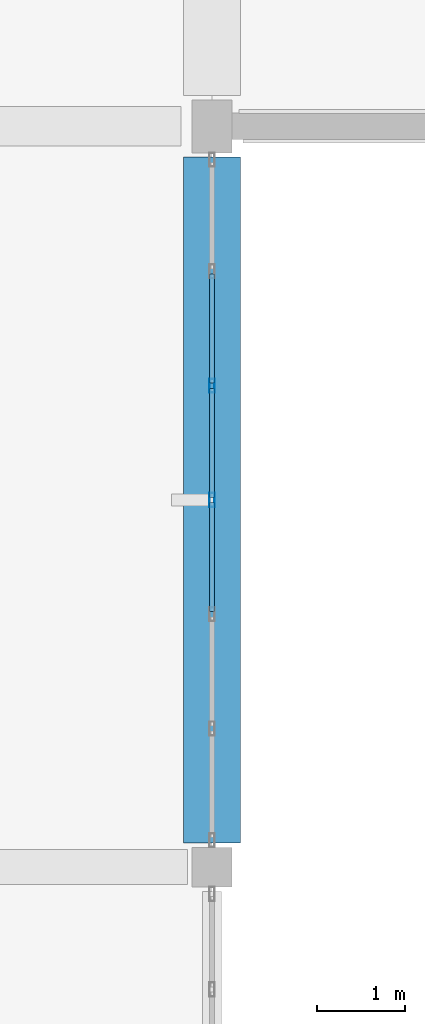
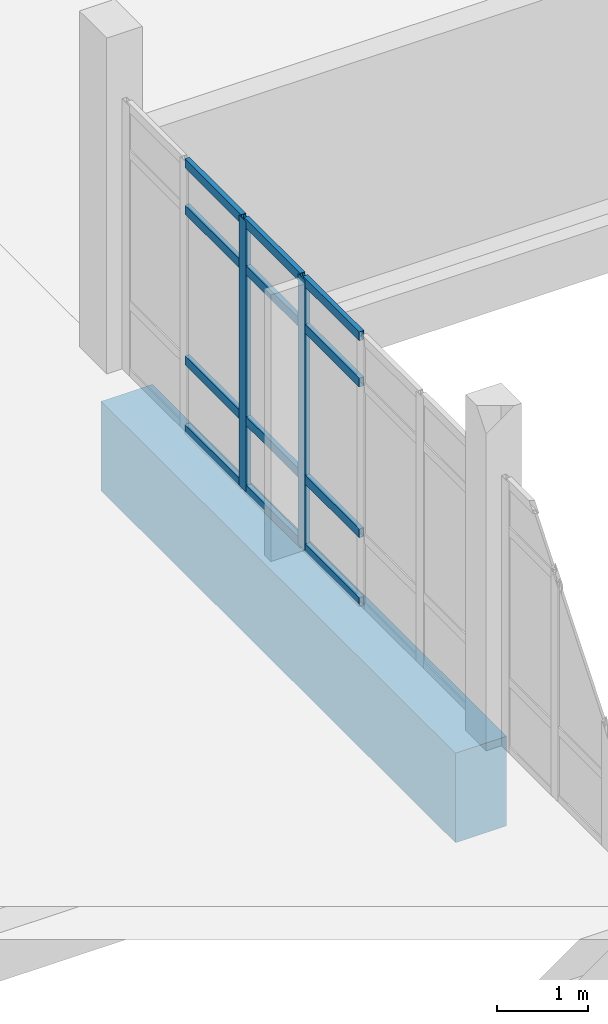
# One storey, part 23 of 62: 14 members, 1 beam, 1 element without a shape of its own.
"""IFC4 building model written with IfcOpenShell, lengths in metres."""

from ifc_helpers import new_model, si_unit, direction, frame, origin, origin_2d, place, context, subcontext, project, spatial, rectangle, hollow_rectangle, extrude, material, material_profile, profile_set, type_object, element, aggregate, save


model = new_model("IFC4")

# Units and contexts
model_context = context("Model", 3, precision=1e-05, world=origin(), true_north=direction((0.0, 1.0)))
body_context = subcontext(model_context, "Body", "Model", "MODEL_VIEW")
ifc_project = project(units=[si_unit("LENGTHUNIT", "METRE"), si_unit("AREAUNIT", "SQUARE_METRE"), si_unit("VOLUMEUNIT", "CUBIC_METRE"), si_unit("PLANEANGLEUNIT", "RADIAN"), si_unit("MASSUNIT", "GRAM", prefix="KILO")], contexts=[model_context])

# Site, building, storey
site_placement = place(None, origin())
site = spatial("IfcSite", under=ifc_project, at=site_placement, CompositionType="ELEMENT")
building_placement = place(site_placement, origin())
building = spatial("IfcBuilding", under=site, at=building_placement, Name="Kalluvel Institute of Natural Sciences", CompositionType="ELEMENT")
storey_placement = place(building_placement, frame((0.0, 0.0, 27.89990234375)))
storey = spatial("IfcBuildingStorey", under=building, at=storey_placement, Name="L06", CompositionType="ELEMENT", Elevation=27.89990234375)

# Beam
ifc_material_1 = material(Name="Concrete M50", Category="concrete")
ifc_material_profile_1 = material_profile(ifc_material_1, rectangle(XDim=0.64990234375, YDim=1.199951171875, at=origin_2d()), Name="RCB 650x1200")
ifc_profile_set_1 = profile_set([ifc_material_profile_1], Name="Concrete M50")
beam_type = type_object("IfcBeamType", Name="BM-RC650x1200", PredefinedType="BEAM", material=ifc_profile_set_1)
beam_placement = place(storey_placement, frame((35.60009765625, 86.27490234375, -0.89990234375), z_axis=(0.0, 1.0, 0.0), x_axis=(-1.0, 0.0, 0.0)))
element("IfcBeam", 1, at=beam_placement, inside=storey, type_object=beam_type, Name="L06 girder GIR-L06-NS-X356-Y860", PredefinedType="BEAM", context=body_context, shape_type="SweptSolid", body=[
    extrude(rectangle(XDim=0.64990234375, YDim=1.199951171875, at=origin_2d()), origin(), (0.0, 0.0, 1.0), 7.775146484375),
])

# Curtain wall, members
ifc_material_2 = material(Name="Aluminium AW-6063 T6", Category="aluminium")
curtain_wall_type = type_object("IfcCurtainWallType", Name="CW-DRY-45", PredefinedType="USERDEFINED", material=ifc_material_2)
curtain_wall_placement = place(storey_placement, origin())
curtain_wall = element("IfcCurtainWall", 2, at=curtain_wall_placement, inside=storey, type_object=curtain_wall_type, Name="L06 Gothic lancet curtain wall CWA-L06-X356-Y863", ObjectType="UNITISED LANCET FACADE", PredefinedType="USERDEFINED")
ifc_material_profile_2 = material_profile(ifc_material_2, hollow_rectangle(XDim=0.06005859375, YDim=0.159912109375, WallThickness=0.00390625, at=origin_2d()), Name="CWM 60x160")
ifc_profile_set_2 = profile_set([ifc_material_profile_2], Name="Aluminium AW-6063 T6")
member_type_1 = type_object("IfcMemberType", Name="CWM-60x160", PredefinedType="MULLION", material=ifc_profile_set_2)
member_1_placement = place(storey_placement, frame((35.60009765625, 90.16259765625, 0.0), z_axis=(0.0, 0.0, 1.0), x_axis=(-1.0, 0.0, 0.0)))
member_1 = element("IfcMember", 3, at=member_1_placement, type_object=member_type_1, Name="CW-03 mullion 4", PredefinedType="MULLION", context=body_context, shape_type="SweptSolid", body=[
    extrude(hollow_rectangle(XDim=0.06005859375, YDim=0.159912109375, WallThickness=0.00390625, at=origin_2d()), origin(), (0.0, 0.0, 1.0), 3.6201171875),
])
member_2_placement = place(storey_placement, frame((35.60009765625, 91.458251953125, 0.0), z_axis=(0.0, 0.0, 1.0), x_axis=(-1.0, 0.0, 0.0)))
member_2 = element("IfcMember", 4, at=member_2_placement, type_object=member_type_1, Name="CW-03 mullion 5", PredefinedType="MULLION", context=body_context, shape_type="SweptSolid", body=[
    extrude(hollow_rectangle(XDim=0.06005859375, YDim=0.159912109375, WallThickness=0.00390625, at=origin_2d()), origin(), (0.0, 0.0, 1.0), 3.6201171875),
])
ifc_material_profile_3 = material_profile(ifc_material_2, hollow_rectangle(XDim=0.06005859375, YDim=0.1201171875, WallThickness=0.00390625, at=origin_2d()), Name="CWT 60x120")
ifc_profile_set_3 = profile_set([ifc_material_profile_3], Name="Aluminium AW-6063 T6")
member_type_2 = type_object("IfcMemberType", Name="CWT-60x120", PredefinedType="USERDEFINED", material=ifc_profile_set_3)
member_3_placement = place(storey_placement, frame((35.60009765625, 88.896728515625, 0.030029296875), z_axis=(0.0, 1.0, 0.0), x_axis=(-1.0, 0.0, 0.0)))
member_3 = element("IfcMember", 5, at=member_3_placement, type_object=member_type_2, Name="CW-03 transom 3.1", ObjectType="TRANSOM", PredefinedType="USERDEFINED", context=body_context, shape_type="SweptSolid", body=[
    extrude(hollow_rectangle(XDim=0.06005859375, YDim=0.1201171875, WallThickness=0.00390625, at=origin_2d()), origin(), (0.0, 0.0, 1.0), 1.23583984375),
])
member_4_placement = place(storey_placement, frame((35.60009765625, 88.896728515625, 0.9501953125), z_axis=(0.0, 1.0, 0.0), x_axis=(-1.0, 0.0, 0.0)))
member_4 = element("IfcMember", 6, at=member_4_placement, type_object=member_type_2, Name="CW-03 transom 3.2", ObjectType="TRANSOM", PredefinedType="USERDEFINED", context=body_context, shape_type="SweptSolid", body=[
    extrude(hollow_rectangle(XDim=0.06005859375, YDim=0.1201171875, WallThickness=0.00390625, at=origin_2d()), origin(), (0.0, 0.0, 1.0), 1.23583984375),
])
member_5_placement = place(storey_placement, frame((35.60009765625, 88.896728515625, 2.97021484375), z_axis=(0.0, 1.0, 0.0), x_axis=(-1.0, 0.0, 0.0)))
member_5 = element("IfcMember", 7, at=member_5_placement, type_object=member_type_2, Name="CW-03 transom 3.3", ObjectType="TRANSOM", PredefinedType="USERDEFINED", context=body_context, shape_type="SweptSolid", body=[
    extrude(hollow_rectangle(XDim=0.06005859375, YDim=0.1201171875, WallThickness=0.00390625, at=origin_2d()), origin(), (0.0, 0.0, 1.0), 1.23583984375),
])
member_6_placement = place(storey_placement, frame((35.60009765625, 88.896728515625, 3.590087890625), z_axis=(0.0, 1.0, 0.0), x_axis=(-1.0, 0.0, 0.0)))
member_6 = element("IfcMember", 8, at=member_6_placement, type_object=member_type_2, Name="CW-03 transom 3.4", ObjectType="TRANSOM", PredefinedType="USERDEFINED", context=body_context, shape_type="SweptSolid", body=[
    extrude(hollow_rectangle(XDim=0.06005859375, YDim=0.1201171875, WallThickness=0.00390625, at=origin_2d()), origin(), (0.0, 0.0, 1.0), 1.23583984375),
])
member_7_placement = place(storey_placement, frame((35.60009765625, 90.1923828125, 0.030029296875), z_axis=(0.0, 1.0, 0.0), x_axis=(-1.0, 0.0, 0.0)))
member_7 = element("IfcMember", 9, at=member_7_placement, type_object=member_type_2, Name="CW-03 transom 4.1", ObjectType="TRANSOM", PredefinedType="USERDEFINED", context=body_context, shape_type="SweptSolid", body=[
    extrude(hollow_rectangle(XDim=0.06005859375, YDim=0.1201171875, WallThickness=0.00390625, at=origin_2d()), origin(), (0.0, 0.0, 1.0), 1.23583984375),
])
member_8_placement = place(storey_placement, frame((35.60009765625, 90.1923828125, 0.9501953125), z_axis=(0.0, 1.0, 0.0), x_axis=(-1.0, 0.0, 0.0)))
member_8 = element("IfcMember", 10, at=member_8_placement, type_object=member_type_2, Name="CW-03 transom 4.2", ObjectType="TRANSOM", PredefinedType="USERDEFINED", context=body_context, shape_type="SweptSolid", body=[
    extrude(hollow_rectangle(XDim=0.06005859375, YDim=0.1201171875, WallThickness=0.00390625, at=origin_2d()), origin(), (0.0, 0.0, 1.0), 1.23583984375),
])
member_9_placement = place(storey_placement, frame((35.60009765625, 90.1923828125, 2.97021484375), z_axis=(0.0, 1.0, 0.0), x_axis=(-1.0, 0.0, 0.0)))
member_9 = element("IfcMember", 11, at=member_9_placement, type_object=member_type_2, Name="CW-03 transom 4.3", ObjectType="TRANSOM", PredefinedType="USERDEFINED", context=body_context, shape_type="SweptSolid", body=[
    extrude(hollow_rectangle(XDim=0.06005859375, YDim=0.1201171875, WallThickness=0.00390625, at=origin_2d()), origin(), (0.0, 0.0, 1.0), 1.23583984375),
])
member_10_placement = place(storey_placement, frame((35.60009765625, 90.1923828125, 3.590087890625), z_axis=(0.0, 1.0, 0.0), x_axis=(-1.0, 0.0, 0.0)))
member_10 = element("IfcMember", 12, at=member_10_placement, type_object=member_type_2, Name="CW-03 transom 4.4", ObjectType="TRANSOM", PredefinedType="USERDEFINED", context=body_context, shape_type="SweptSolid", body=[
    extrude(hollow_rectangle(XDim=0.06005859375, YDim=0.1201171875, WallThickness=0.00390625, at=origin_2d()), origin(), (0.0, 0.0, 1.0), 1.23583984375),
])
member_11_placement = place(storey_placement, frame((35.60009765625, 91.48828125, 0.030029296875), z_axis=(0.0, 1.0, 0.0), x_axis=(-1.0, 0.0, 0.0)))
member_11 = element("IfcMember", 13, at=member_11_placement, type_object=member_type_2, Name="CW-03 transom 5.1", ObjectType="TRANSOM", PredefinedType="USERDEFINED", context=body_context, shape_type="SweptSolid", body=[
    extrude(hollow_rectangle(XDim=0.06005859375, YDim=0.1201171875, WallThickness=0.00390625, at=origin_2d()), origin(), (0.0, 0.0, 1.0), 1.23583984375),
])
member_12_placement = place(storey_placement, frame((35.60009765625, 91.48828125, 0.9501953125), z_axis=(0.0, 1.0, 0.0), x_axis=(-1.0, 0.0, 0.0)))
member_12 = element("IfcMember", 14, at=member_12_placement, type_object=member_type_2, Name="CW-03 transom 5.2", ObjectType="TRANSOM", PredefinedType="USERDEFINED", context=body_context, shape_type="SweptSolid", body=[
    extrude(hollow_rectangle(XDim=0.06005859375, YDim=0.1201171875, WallThickness=0.00390625, at=origin_2d()), origin(), (0.0, 0.0, 1.0), 1.23583984375),
])
member_13_placement = place(storey_placement, frame((35.60009765625, 91.48828125, 2.97021484375), z_axis=(0.0, 1.0, 0.0), x_axis=(-1.0, 0.0, 0.0)))
member_13 = element("IfcMember", 15, at=member_13_placement, type_object=member_type_2, Name="CW-03 transom 5.3", ObjectType="TRANSOM", PredefinedType="USERDEFINED", context=body_context, shape_type="SweptSolid", body=[
    extrude(hollow_rectangle(XDim=0.06005859375, YDim=0.1201171875, WallThickness=0.00390625, at=origin_2d()), origin(), (0.0, 0.0, 1.0), 1.23583984375),
])
member_14_placement = place(storey_placement, frame((35.60009765625, 91.48828125, 3.590087890625), z_axis=(0.0, 1.0, 0.0), x_axis=(-1.0, 0.0, 0.0)))
member_14 = element("IfcMember", 16, at=member_14_placement, type_object=member_type_2, Name="CW-03 transom 5.4", ObjectType="TRANSOM", PredefinedType="USERDEFINED", context=body_context, shape_type="SweptSolid", body=[
    extrude(hollow_rectangle(XDim=0.06005859375, YDim=0.1201171875, WallThickness=0.00390625, at=origin_2d()), origin(), (0.0, 0.0, 1.0), 1.23583984375),
])
aggregate(curtain_wall, [member_1, member_2, member_3, member_4, member_5, member_6, member_7, member_8, member_9, member_10, member_11, member_12, member_13, member_14])

save(model, "model.ifc")
